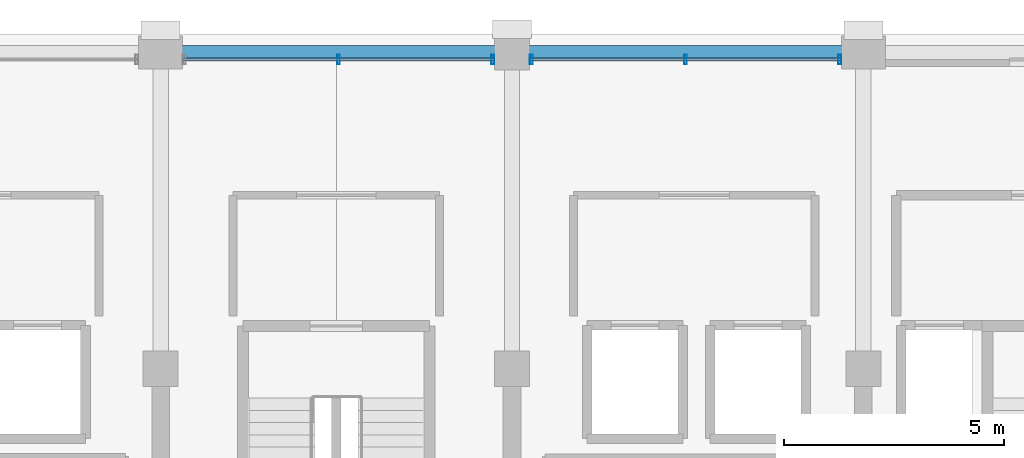
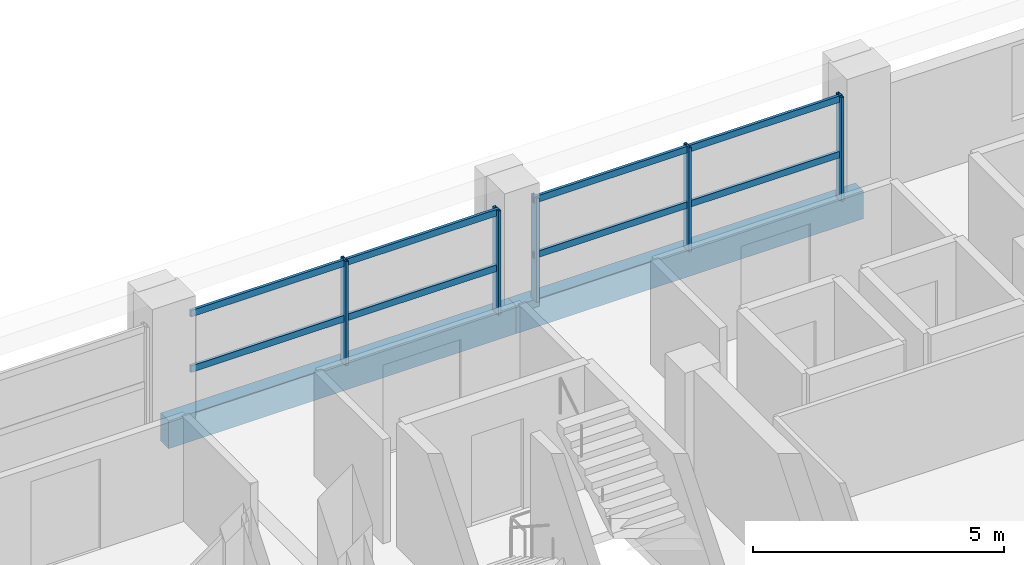
# One storey, part 15 of 22: 9 members, 2 beams, 2 elements without a shape of their own.
"""IFC4 building model written with IfcOpenShell, lengths in metres."""

from ifc_helpers import new_model, si_unit, direction, frame, origin, origin_2d, place, context, subcontext, project, spatial, rectangle, hollow_rectangle, extrude, material, material_profile, profile_set, type_object, element, aggregate, save


model = new_model("IFC4")

# Units and contexts
model_context = context("Model", 3, precision=1e-05, world=origin(), true_north=direction((0.0, 1.0)))
body_context = subcontext(model_context, "Body", "Model", "MODEL_VIEW")
ifc_project = project(units=[si_unit("LENGTHUNIT", "METRE"), si_unit("AREAUNIT", "SQUARE_METRE"), si_unit("VOLUMEUNIT", "CUBIC_METRE"), si_unit("PLANEANGLEUNIT", "RADIAN"), si_unit("MASSUNIT", "GRAM", prefix="KILO")], contexts=[model_context])

# Site, building, storey
site_placement = place(None, origin())
site = spatial("IfcSite", under=ifc_project, at=site_placement, CompositionType="ELEMENT")
building_placement = place(site_placement, origin())
building = spatial("IfcBuilding", under=site, at=building_placement, Name="Akrevak Sports Hall", CompositionType="ELEMENT")
storey_placement = place(building_placement, frame((0.0, 0.0, 40.550048828125)))
storey = spatial("IfcBuildingStorey", under=building, at=storey_placement, Name="L09", CompositionType="ELEMENT", Elevation=40.550048828125)

# Curtain wall, members
ifc_material_1 = material(Name="Anodized Bronze Aluminium & Low-E Glass", Category="aluminium")
curtain_wall_type = type_object("IfcCurtainWallType", Name="ARC-CW-TWR-68x30", PredefinedType="NOTDEFINED", material=ifc_material_1)
curtain_wall_1_placement = place(storey_placement, origin())
curtain_wall_1 = element("IfcCurtainWall", 1, at=curtain_wall_1_placement, inside=storey, type_object=curtain_wall_type, Name="Curtain Wall CW-L09-N21", PredefinedType="NOTDEFINED")
ifc_material_2 = material(Name="Anodized Bronze Aluminium", Category="aluminium")
ifc_material_profile_1 = material_profile(ifc_material_2, hollow_rectangle(XDim=0.06494140625, YDim=0.219970703125, WallThickness=0.00439453125, at=origin_2d()), Name="CWM 65x220", Category="aluminium")
ifc_profile_set_1 = profile_set([ifc_material_profile_1], Name="Anodized Bronze Aluminium")
member_type_1 = type_object("IfcMemberType", Name="ARC-CWM-70x160", PredefinedType="MULLION", material=ifc_profile_set_1)
member_1_placement = place(storey_placement, frame((91.4599609375, 69.43994140625, 0.0), z_axis=(0.0, 0.0, 1.0), x_axis=(-1.0, 0.0, 0.0)))
member_1 = element("IfcMember", 2, at=member_1_placement, type_object=member_type_1, Name="Curtain Wall Mullion CW-L09-N21-M1", PredefinedType="MULLION", context=body_context, shape_type="SweptSolid", body=[
    extrude(hollow_rectangle(XDim=0.06494140625, YDim=0.219970703125, WallThickness=0.00439453125, at=origin_2d()), origin(), (0.0, 0.0, 1.0), 2.530029296875),
])
member_2_placement = place(storey_placement, frame((87.949951171875, 69.43994140625, 0.0), z_axis=(0.0, 0.0, 1.0), x_axis=(-1.0, 0.0, 0.0)))
member_2 = element("IfcMember", 3, at=member_2_placement, type_object=member_type_1, Name="Curtain Wall Mullion CW-L09-N21-M2", PredefinedType="MULLION", context=body_context, shape_type="SweptSolid", body=[
    extrude(hollow_rectangle(XDim=0.06494140625, YDim=0.219970703125, WallThickness=0.00439453125, at=origin_2d()), origin(), (0.0, 0.0, 1.0), 2.530029296875),
])
member_3_placement = place(storey_placement, frame((84.43994140625, 69.43994140625, 0.0), z_axis=(0.0, 0.0, 1.0), x_axis=(-1.0, 0.0, 0.0)))
member_3 = element("IfcMember", 4, at=member_3_placement, type_object=member_type_1, Name="Curtain Wall Mullion CW-L09-N21-M3", PredefinedType="MULLION", context=body_context, shape_type="SweptSolid", body=[
    extrude(hollow_rectangle(XDim=0.06494140625, YDim=0.219970703125, WallThickness=0.00439453125, at=origin_2d()), origin(), (0.0, 0.0, 1.0), 2.530029296875),
])

curtain_wall_2_placement = place(storey_placement, origin())
curtain_wall_2 = element("IfcCurtainWall", 5, at=curtain_wall_2_placement, inside=storey, type_object=curtain_wall_type, Name="Curtain Wall CW-L09-N22", PredefinedType="NOTDEFINED")
member_4_placement = place(storey_placement, frame((83.56005859375, 69.43994140625, 0.0), z_axis=(0.0, 0.0, 1.0), x_axis=(-1.0, 0.0, 0.0)))
member_4 = element("IfcMember", 6, at=member_4_placement, type_object=member_type_1, Name="Curtain Wall Mullion CW-L09-N22-M1", PredefinedType="MULLION", context=body_context, shape_type="SweptSolid", body=[
    extrude(hollow_rectangle(XDim=0.06494140625, YDim=0.219970703125, WallThickness=0.00439453125, at=origin_2d()), origin(), (0.0, 0.0, 1.0), 2.530029296875),
])
member_5_placement = place(storey_placement, frame((80.050048828125, 69.43994140625, 0.0), z_axis=(0.0, 0.0, 1.0), x_axis=(-1.0, 0.0, 0.0)))
member_5 = element("IfcMember", 7, at=member_5_placement, type_object=member_type_1, Name="Curtain Wall Mullion CW-L09-N22-M2", PredefinedType="MULLION", context=body_context, shape_type="SweptSolid", body=[
    extrude(hollow_rectangle(XDim=0.06494140625, YDim=0.219970703125, WallThickness=0.00439453125, at=origin_2d()), origin(), (0.0, 0.0, 1.0), 2.530029296875),
])

# Member
ifc_material_profile_2 = material_profile(ifc_material_2, hollow_rectangle(XDim=0.06494140625, YDim=0.159912109375, WallThickness=0.00390625, at=origin_2d()), Name="CWT 65x160", Category="aluminium")
ifc_profile_set_2 = profile_set([ifc_material_profile_2], Name="Anodized Bronze Aluminium")
member_type_2 = type_object("IfcMemberType", Name="ARC-CWT-70x130", PredefinedType="USERDEFINED", material=ifc_profile_set_2)
member_6_placement = place(storey_placement, frame((91.5, 69.43994140625, 1.099853515625), z_axis=(-1.0, 0.0, 0.0), x_axis=(0.0, -1.0, 0.0)))
member_6 = element("IfcMember", 8, at=member_6_placement, type_object=member_type_2, Name="Curtain Wall Transom CW-L09-N21-T1", ObjectType="TRANSOM", PredefinedType="USERDEFINED", context=body_context, shape_type="SweptSolid", body=[
    extrude(hollow_rectangle(XDim=0.06494140625, YDim=0.159912109375, WallThickness=0.00390625, at=origin_2d()), origin(), (0.0, 0.0, 1.0), 7.10009765625),
])

member_7_placement = place(storey_placement, frame((91.5, 69.43994140625, 2.449951171875), z_axis=(-1.0, 0.0, 0.0), x_axis=(0.0, -1.0, 0.0)))
member_7 = element("IfcMember", 9, at=member_7_placement, type_object=member_type_2, Name="Curtain Wall Transom CW-L09-N21-T2", ObjectType="TRANSOM", PredefinedType="USERDEFINED", context=body_context, shape_type="SweptSolid", body=[
    extrude(hollow_rectangle(XDim=0.06494140625, YDim=0.159912109375, WallThickness=0.00390625, at=origin_2d()), origin(), (0.0, 0.0, 1.0), 7.10009765625),
])

aggregate(curtain_wall_1, [member_1, member_2, member_3, member_6, member_7])

member_8_placement = place(storey_placement, frame((83.60009765625, 69.43994140625, 1.099853515625), z_axis=(-1.0, 0.0, 0.0), x_axis=(0.0, -1.0, 0.0)))
member_8 = element("IfcMember", 10, at=member_8_placement, type_object=member_type_2, Name="Curtain Wall Transom CW-L09-N22-T1", ObjectType="TRANSOM", PredefinedType="USERDEFINED", context=body_context, shape_type="SweptSolid", body=[
    extrude(hollow_rectangle(XDim=0.06494140625, YDim=0.159912109375, WallThickness=0.00390625, at=origin_2d()), origin(), (0.0, 0.0, 1.0), 7.10009765625),
])

member_9_placement = place(storey_placement, frame((83.60009765625, 69.43994140625, 2.449951171875), z_axis=(-1.0, 0.0, 0.0), x_axis=(0.0, -1.0, 0.0)))
member_9 = element("IfcMember", 11, at=member_9_placement, type_object=member_type_2, Name="Curtain Wall Transom CW-L09-N22-T2", ObjectType="TRANSOM", PredefinedType="USERDEFINED", context=body_context, shape_type="SweptSolid", body=[
    extrude(hollow_rectangle(XDim=0.06494140625, YDim=0.159912109375, WallThickness=0.00390625, at=origin_2d()), origin(), (0.0, 0.0, 1.0), 7.10009765625),
])

aggregate(curtain_wall_2, [member_4, member_5, member_8, member_9])

# Beams
ifc_material_3 = material(Name="Concrete C40/50", Category="concrete")
ifc_material_profile_3 = material_profile(ifc_material_3, rectangle(XDim=0.320068359375, YDim=0.679931640625, at=origin_2d()), Name="SPD 320x680", Category="concrete")
ifc_profile_set_3 = profile_set([ifc_material_profile_3], Name="Concrete C40/50")
beam_type = type_object("IfcBeamType", Name="STR-SPD-RC320x680", PredefinedType="SPANDREL", material=ifc_profile_set_3)
for number, where, z_axis, x_axis, name in (
    (12, (76.0, 69.60009765625, -0.340087890625), (1.0, 0.0, 0.0), (0.0, 1.0, 0.0), "Girder K/11-12 (L09)"),
    (13, (84.0, 69.60009765625, -0.340087890625), (1.0, 0.0, 0.0), (0.0, 1.0, 0.0), "Girder K/12-13 (L09)"),
):
    element("IfcBeam", number, at=place(storey_placement, frame(where, z_axis=z_axis, x_axis=x_axis)), inside=storey, type_object=beam_type, Name=name, PredefinedType="SPANDREL", context=body_context, shape_type="SweptSolid", body=[
        extrude(rectangle(XDim=0.320068359375, YDim=0.679931640625, at=origin_2d()), origin(), (0.0, 0.0, 1.0), 8.0),
    ])

save(model, "model.ifc")
